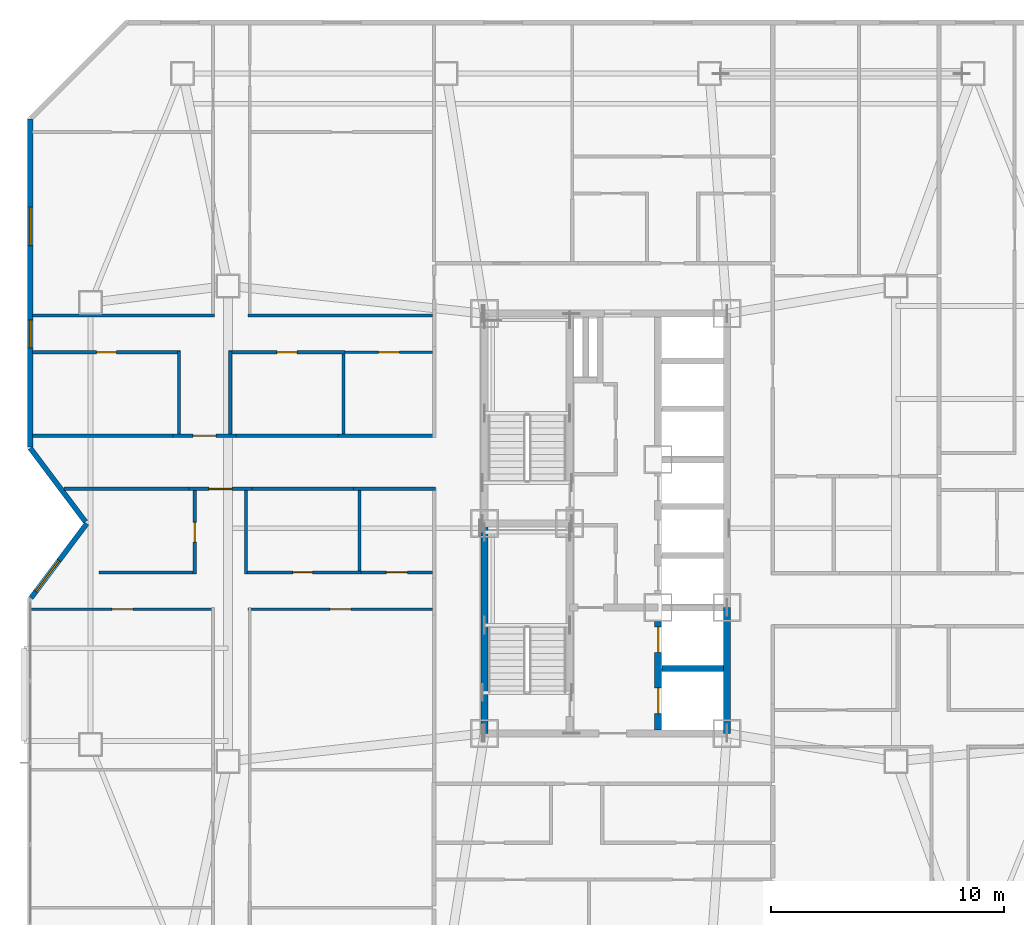
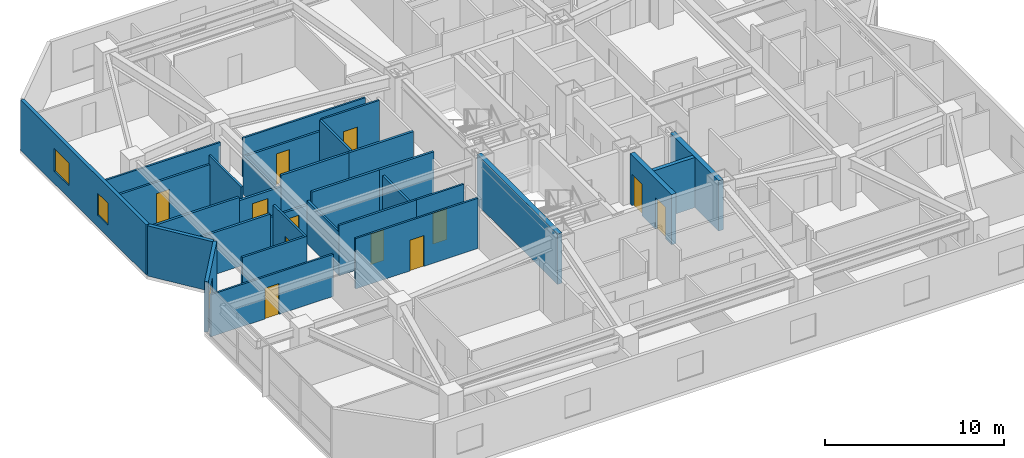
# One storey, part 12 of 17: 31 walls, 12 doors, 3 windows, 15 openings.
"""IFC4 building model written with IfcOpenShell, lengths in metres."""

from ifc_helpers import new_model, si_unit, direction, frame, frame_2d, origin, place, context, subcontext, project, spatial, rectangle, extrude, material, layer, layer_set, type_object, element, fill, save


model = new_model("IFC4")

# Units and contexts
model_context = context("Model", 3, precision=1e-05, world=origin(), true_north=direction((0.0, 1.0)))
body_context = subcontext(model_context, "Body", "Model", "MODEL_VIEW")
ifc_project = project(units=[si_unit("LENGTHUNIT", "METRE"), si_unit("AREAUNIT", "SQUARE_METRE"), si_unit("VOLUMEUNIT", "CUBIC_METRE"), si_unit("PLANEANGLEUNIT", "RADIAN"), si_unit("MASSUNIT", "GRAM", prefix="KILO")], contexts=[model_context])

# Site, building, storey
site_placement = place(None, origin())
site = spatial("IfcSite", under=ifc_project, at=site_placement, CompositionType="ELEMENT")
building_placement = place(site_placement, origin())
building = spatial("IfcBuilding", under=site, at=building_placement, Name="Khamvora Tower", CompositionType="ELEMENT")
storey_placement = place(building_placement, frame((0.0, 0.0, 131.10009765625)))
storey = spatial("IfcBuildingStorey", under=building, at=storey_placement, Name="L33", CompositionType="ELEMENT", Elevation=131.10009765625)

# Walls
ifc_material_1 = material(Name="Concrete C50/60", Category="concrete")
ifc_layer_1 = layer(ifc_material_1, 0.300048828125)
ifc_layer_set_1 = layer_set([ifc_layer_1], Name="Concrete C50/60")
wall_type_1 = type_object("IfcWallType", Name="WAL-CORE-300", PredefinedType="SHEAR", material=ifc_layer_set_1)
wall_1_placement = place(storey_placement, frame((29.0, 19.0, 0.0), z_axis=(0.0, 0.0, 1.0), x_axis=(0.0, 1.0, 0.0)))
element("IfcWall", 1, at=wall_1_placement, inside=storey, type_object=wall_type_1, Name="L33 central core west south wall", PredefinedType="SHEAR", context=body_context, shape_type="SweptSolid", body=[
    extrude(rectangle(XDim=9.0, YDim=0.300048828125, at=frame_2d((4.5, 0.0))), origin(), (0.0, 0.0, 1.0), 3.429931640625),
])
wall_2_placement = place(storey_placement, frame((39.39990234375, 19.0, 0.0), z_axis=(0.0, 0.0, 1.0), x_axis=(0.0, 1.0, 0.0)))
element("IfcWall", 2, at=wall_2_placement, inside=storey, type_object=wall_type_1, Name="L33 central core east south wall", PredefinedType="SHEAR", context=body_context, shape_type="SweptSolid", body=[
    extrude(rectangle(XDim=5.39990234375, YDim=0.300048828125, at=frame_2d((2.699951171875, 0.0))), origin(), (0.0, 0.0, 1.0), 3.429931640625),
])

# Wall, openings, doors
wall_3_placement = place(storey_placement, frame((36.449951171875, 19.154052734375, 0.0), z_axis=(0.0, 0.0, 1.0), x_axis=(0.0, 1.0, 0.0)))
wall_3 = element("IfcWall", 3, at=wall_3_placement, inside=storey, type_object=wall_type_1, Name="L33 central core lift bank south wall", PredefinedType="SHEAR", context=body_context, shape_type="SweptSolid", body=[
    extrude(rectangle(XDim=4.64599609375, YDim=0.300048828125, at=frame_2d((2.322998046875, 0.0))), origin(), (0.0, 0.0, 1.0), 3.429931640625),
])
opening_1_placement = place(wall_3_placement, frame((0.696044921875, 0.0, 0.0)))
opening_1 = element("IfcOpeningElement", 4, at=opening_1_placement, cuts=wall_3, Name="Opening LD-FFL", PredefinedType="OPENING", context=body_context, shape_type="SweptSolid", body=[
    extrude(rectangle(XDim=1.10009765625, YDim=2.14990234375, at=frame_2d((0.550048828125, 1.074951171875))), frame((0.0, 0.159912109375, 0.0), z_axis=(0.0, -1.0, 0.0), x_axis=(1.0, 0.0, 0.0)), (0.0, 0.0, 1.0), 0.320068359375),
])
opening_2_placement = place(wall_3_placement, frame((3.31591796875, 0.0, 0.0)))
opening_2 = element("IfcOpeningElement", 5, at=opening_2_placement, cuts=wall_3, Name="Opening LD-FFL", PredefinedType="OPENING", context=body_context, shape_type="SweptSolid", body=[
    extrude(rectangle(XDim=1.10009765625, YDim=2.14990234375, at=frame_2d((0.550048828125, 1.074951171875))), frame((0.0, 0.159912109375, 0.0), z_axis=(0.0, -1.0, 0.0), x_axis=(1.0, 0.0, 0.0)), (0.0, 0.0, 1.0), 0.320068359375),
])
ifc_material_2 = material(Name="Powder-Coated Steel and Hardwood Leaf", Category="steel")
door_type_1 = type_object("IfcDoorType", Name="DOR-LIFT-1100", OperationType="SLIDING_TO_LEFT", PredefinedType="DOOR", material=ifc_material_2)
door_1_placement = place(opening_1_placement, origin())
door_1 = element("IfcDoor", 6, at=door_1_placement, inside=storey, type_object=door_type_1, Name="L33 lift landing sliding door FFL-01", OperationType="SLIDING_TO_LEFT", OverallHeight=2.14990234375, OverallWidth=1.10009765625, PredefinedType="DOOR", context=body_context, shape_type="SweptSolid", body=[
    extrude(rectangle(XDim=1.10009765625, YDim=2.14990234375, at=frame_2d((0.550048828125, 1.074951171875))), frame((0.0, 0.02490234375, 0.0), z_axis=(0.0, -1.0, 0.0), x_axis=(1.0, 0.0, 0.0)), (0.0, 0.0, 1.0), 0.050048828125),
])
fill(opening_1, door_1)
door_2_placement = place(opening_2_placement, origin())
door_2 = element("IfcDoor", 7, at=door_2_placement, inside=storey, type_object=door_type_1, Name="L33 lift landing sliding door FFL-02", OperationType="SLIDING_TO_LEFT", OverallHeight=2.14990234375, OverallWidth=1.10009765625, PredefinedType="DOOR", context=body_context, shape_type="SweptSolid", body=[
    extrude(rectangle(XDim=1.10009765625, YDim=2.14990234375, at=frame_2d((0.550048828125, 1.074951171875))), frame((0.0, 0.02490234375, 0.0), z_axis=(0.0, -1.0, 0.0), x_axis=(1.0, 0.0, 0.0)), (0.0, 0.0, 1.0), 0.050048828125),
])
fill(opening_2, door_2)

# Wall
ifc_material_3 = material(Name="Fire-Rated Drywall and Steel Stud", Category="steel")
ifc_layer_2 = layer(ifc_material_3, 0.14990234375)
ifc_layer_set_2 = layer_set([ifc_layer_2], Name="Fire-Rated Drywall and Steel Stud")
wall_type_2 = type_object("IfcWallType", Name="WAL-CORR-150", PredefinedType="STANDARD", material=ifc_layer_set_2)
wall_4_placement = place(storey_placement, frame((26.89794921875, 29.485107421875, 0.0), z_axis=(0.0, 0.0, 1.0), x_axis=(-1.0, 0.0, 0.0)))
element("IfcWall", 8, at=wall_4_placement, inside=storey, type_object=wall_type_2, Name="L33 interior partition wall 008", PredefinedType="STANDARD", context=body_context, shape_type="SweptSolid", body=[
    extrude(rectangle(XDim=3.510986328125, YDim=0.14990234375, at=frame_2d((1.75537109375, 0.0))), origin(), (0.0, 0.0, 1.0), 3.429931640625),
])

# Wall, opening, door
wall_5_placement = place(storey_placement, frame((19.02001953125, 29.485107421875, 0.0), z_axis=(0.0, 0.0, 1.0), x_axis=(-1.0, 0.0, 0.0)))
wall_5 = element("IfcWall", 9, at=wall_5_placement, inside=storey, type_object=wall_type_2, Name="L33 interior partition wall 010", PredefinedType="STANDARD", context=body_context, shape_type="SweptSolid", body=[
    extrude(rectangle(XDim=2.697998046875, YDim=0.14990234375, at=frame_2d((1.34912109375, 0.0))), origin(), (0.0, 0.0, 1.0), 2.64697265625),
])
opening_3_placement = place(wall_5_placement, frame((0.84912109375, 0.0, 0.0)))
opening_3 = element("IfcOpeningElement", 10, at=opening_3_placement, cuts=wall_5, Name="Opening D-U1", PredefinedType="OPENING", context=body_context, shape_type="SweptSolid", body=[
    extrude(rectangle(XDim=1.0, YDim=2.14990234375, at=frame_2d((0.5, 1.074951171875))), frame((0.0, 0.0849609375, 0.0), z_axis=(0.0, -1.0, 0.0), x_axis=(1.0, 0.0, 0.0)), (0.0, 0.0, 1.0), 0.169921875),
])
door_type_2 = type_object("IfcDoorType", Name="DOR-UNIT-1000", OperationType="NOTDEFINED", PredefinedType="DOOR", material=ifc_material_2)
door_3_placement = place(opening_3_placement, origin())
door_3 = element("IfcDoor", 11, at=door_3_placement, inside=storey, type_object=door_type_2, Name="L33 interior door COR-33WAH", OperationType="SINGLE_SWING_LEFT", OverallHeight=2.14990234375, OverallWidth=1.0, PredefinedType="DOOR", context=body_context, shape_type="SweptSolid", body=[
    extrude(rectangle(XDim=1.0, YDim=2.14990234375, at=frame_2d((0.5, 1.074951171875))), frame((0.0, 0.02490234375, 0.0), z_axis=(0.0, -1.0, 0.0), x_axis=(1.0, 0.0, 0.0)), (0.0, 0.0, 1.0), 0.050048828125),
])
fill(opening_3, door_3)

# Walls
wall_6_placement = place(storey_placement, frame((16.322021484375, 29.485107421875, 0.0), z_axis=(0.0, 0.0, 1.0), x_axis=(-1.0, 0.0, 0.0)))
element("IfcWall", 12, at=wall_6_placement, inside=storey, type_object=wall_type_2, Name="L33 interior partition wall 011", PredefinedType="STANDARD", context=body_context, shape_type="SweptSolid", body=[
    extrude(rectangle(XDim=5.3701171875, YDim=0.14990234375, at=frame_2d((2.68505859375, 0.0))), origin(), (0.0, 0.0, 1.0), 2.8759765625),
])
wall_7_placement = place(storey_placement, frame((23.386962890625, 29.485107421875, 0.0), z_axis=(0.0, 0.0, 1.0), x_axis=(-1.0, 0.0, 0.0)))
element("IfcWall", 13, at=wall_7_placement, inside=storey, type_object=wall_type_2, Name="L33 interior partition wall 012", PredefinedType="STANDARD", context=body_context, shape_type="SweptSolid", body=[
    extrude(rectangle(XDim=4.366943359375, YDim=0.14990234375, at=frame_2d((2.18359375, 0.0))), origin(), (0.0, 0.0, 1.0), 3.429931640625),
])
wall_8_placement = place(storey_placement, frame((22.7060546875, 31.764892578125, 0.0), z_axis=(0.0, 0.0, 1.0), x_axis=(1.0, 0.0, 0.0)))
element("IfcWall", 14, at=wall_8_placement, inside=storey, type_object=wall_type_2, Name="L33 interior partition wall 016", PredefinedType="STANDARD", context=body_context, shape_type="SweptSolid", body=[
    extrude(rectangle(XDim=4.19189453125, YDim=0.14990234375, at=frame_2d((2.095947265625, 0.0))), origin(), (0.0, 0.0, 1.0), 3.429931640625),
])

# Wall, opening, door
wall_9_placement = place(storey_placement, frame((15.64111328125, 31.764892578125, 0.0), z_axis=(0.0, 0.0, 1.0), x_axis=(1.0, 0.0, 0.0)))
wall_9 = element("IfcWall", 15, at=wall_9_placement, inside=storey, type_object=wall_type_2, Name="L33 interior partition wall 018", PredefinedType="STANDARD", context=body_context, shape_type="SweptSolid", body=[
    extrude(rectangle(XDim=2.697998046875, YDim=0.14990234375, at=frame_2d((1.34912109375, 0.0))), origin(), (0.0, 0.0, 1.0), 2.64697265625),
])
opening_4_placement = place(wall_9_placement, frame((0.84912109375, 0.0, 0.0)))
opening_4 = element("IfcOpeningElement", 16, at=opening_4_placement, cuts=wall_9, Name="Opening D-U1", PredefinedType="OPENING", context=body_context, shape_type="SweptSolid", body=[
    extrude(rectangle(XDim=1.0, YDim=2.14990234375, at=frame_2d((0.5, 1.074951171875))), frame((0.0, 0.0849609375, 0.0), z_axis=(0.0, -1.0, 0.0), x_axis=(1.0, 0.0, 0.0)), (0.0, 0.0, 1.0), 0.169921875),
])
door_4_placement = place(opening_4_placement, origin())
door_4 = element("IfcDoor", 17, at=door_4_placement, inside=storey, type_object=door_type_2, Name="L33 interior door COR-33WBH", OperationType="SINGLE_SWING_RIGHT", OverallHeight=2.14990234375, OverallWidth=1.0, PredefinedType="DOOR", context=body_context, shape_type="SweptSolid", body=[
    extrude(rectangle(XDim=1.0, YDim=2.14990234375, at=frame_2d((0.5, 1.074951171875))), frame((0.0, 0.02490234375, 0.0), z_axis=(0.0, -1.0, 0.0), x_axis=(1.0, 0.0, 0.0)), (0.0, 0.0, 1.0), 0.050048828125),
])
fill(opening_4, door_4)

# Walls
wall_10_placement = place(storey_placement, frame((18.339111328125, 31.764892578125, 0.0), z_axis=(0.0, 0.0, 1.0), x_axis=(1.0, 0.0, 0.0)))
element("IfcWall", 18, at=wall_10_placement, inside=storey, type_object=wall_type_2, Name="L33 interior partition wall 019", PredefinedType="STANDARD", context=body_context, shape_type="SweptSolid", body=[
    extrude(rectangle(XDim=4.366943359375, YDim=0.14990234375, at=frame_2d((2.18359375, 0.0))), origin(), (0.0, 0.0, 1.0), 3.429931640625),
])
wall_11_placement = place(storey_placement, frame((9.612060546875, 31.764892578125, 0.0), z_axis=(0.0, 0.0, 1.0), x_axis=(1.0, 0.0, 0.0)))
element("IfcWall", 19, at=wall_11_placement, inside=storey, type_object=wall_type_2, Name="L33 interior partition wall 020", PredefinedType="STANDARD", context=body_context, shape_type="SweptSolid", body=[
    extrude(rectangle(XDim=6.029052734375, YDim=0.14990234375, at=frame_2d((3.0146484375, 0.0))), origin(), (0.0, 0.0, 1.0), 2.8759765625),
])

# Wall, opening, window
ifc_material_4 = material(Name="Precast concrete C40/50", Category="concrete")
ifc_layer_3 = layer(ifc_material_4, 0.219970703125)
ifc_layer_set_3 = layer_set([ifc_layer_3], Name="Precast concrete C40/50")
wall_type_3 = type_object("IfcWallType", Name="WAL-EXT-220", PredefinedType="STANDARD", material=ifc_layer_set_3)
wall_12_placement = place(storey_placement, frame((9.5439453125, 24.80810546875, 0.0), z_axis=(0.0, 0.0, 1.0), x_axis=(0.600019580308, 0.799985314394, 0.0)))
wall_12 = element("IfcWall", 20, at=wall_12_placement, inside=storey, type_object=wall_type_3, Name="L33 exterior facade wall 03.1", PredefinedType="STANDARD", context=body_context, shape_type="SweptSolid", body=[
    extrude(rectangle(XDim=3.989990234375, YDim=0.219970703125, at=frame_2d((1.9951171875, 0.0))), origin(), (0.0, 0.0, 1.0), 3.429931640625),
])
opening_5_placement = place(wall_12_placement, frame((0.35107421875, 0.0, 0.85009765625)))
opening_5 = element("IfcOpeningElement", 21, at=opening_5_placement, cuts=wall_12, Name="Opening WN-06", PredefinedType="OPENING", context=body_context, shape_type="SweptSolid", body=[
    extrude(rectangle(XDim=1.64990234375, YDim=1.550048828125, at=frame_2d((0.824951171875, 0.77490234375))), frame((0.0, 0.119873046875, 0.0), z_axis=(0.0, -1.0, 0.0), x_axis=(1.0, 0.0, 0.0)), (0.0, 0.0, 1.0), 0.239990234375),
])
ifc_material_5 = material(Name="Low-E Laminated Double Glazing", Category="glass")
window_type_1 = type_object("IfcWindowType", Name="WIN-VIS-1650x1550", PartitioningType="SINGLE_PANEL", PredefinedType="WINDOW", material=ifc_material_5)
window_1_placement = place(opening_5_placement, origin())
window_1 = element("IfcWindow", 22, at=window_1_placement, inside=storey, type_object=window_type_1, Name="L33 vision window 03.1.01", OverallHeight=1.550048828125, OverallWidth=1.64990234375, PartitioningType="SINGLE_PANEL", PredefinedType="WINDOW", context=body_context, shape_type="SweptSolid", body=[
    extrude(rectangle(XDim=1.64990234375, YDim=1.550048828125, at=frame_2d((0.824951171875, 0.77490234375))), frame((0.0, 0.030029296875, 0.0), z_axis=(0.0, -1.0, 0.0), x_axis=(1.0, 0.0, 0.0)), (0.0, 0.0, 1.0), 0.06005859375),
])
fill(opening_5, window_1)

# Wall
wall_13_placement = place(storey_placement, frame((11.881103515625, 28.076904296875, 0.0), z_axis=(0.0, 0.0, 1.0), x_axis=(-0.600158184825, 0.799881336942, 0.0)))
element("IfcWall", 23, at=wall_13_placement, inside=storey, type_object=wall_type_3, Name="L33 exterior facade wall 04.1", PredefinedType="STANDARD", context=body_context, shape_type="SweptSolid", body=[
    extrude(rectangle(XDim=3.95068359375, YDim=0.219970703125, at=frame_2d((1.975341796875, 0.0))), origin(), (0.0, 0.0, 1.0), 3.429931640625),
])

# Wall, openings, windows
wall_14_placement = place(storey_placement, frame((9.510009765625, 31.29296875, 0.0), z_axis=(0.0, 0.0, 1.0), x_axis=(0.0, 1.0, 0.0)))
wall_14 = element("IfcWall", 24, at=wall_14_placement, inside=storey, type_object=wall_type_3, Name="L33 exterior facade wall 05.1", PredefinedType="STANDARD", context=body_context, shape_type="SweptSolid", body=[
    extrude(rectangle(XDim=14.06103515625, YDim=0.219970703125, at=frame_2d((7.030517578125, 0.0))), origin(), (0.0, 0.0, 1.0), 3.429931640625),
])
opening_6_placement = place(wall_14_placement, frame((4.241943359375, 0.0, 0.800048828125)))
opening_6 = element("IfcOpeningElement", 25, at=opening_6_placement, cuts=wall_14, Name="Opening WN-03", PredefinedType="OPENING", context=body_context, shape_type="SweptSolid", body=[
    extrude(rectangle(XDim=1.199951171875, YDim=1.5, at=frame_2d((0.60009765625, 0.75))), frame((0.0, 0.119873046875, 0.0), z_axis=(0.0, -1.0, 0.0), x_axis=(1.0, 0.0, 0.0)), (0.0, 0.0, 1.0), 0.239990234375),
])
opening_7_placement = place(wall_14_placement, frame((8.62890625, 0.0, 0.85009765625)))
opening_7 = element("IfcOpeningElement", 26, at=opening_7_placement, cuts=wall_14, Name="Opening WN-06", PredefinedType="OPENING", context=body_context, shape_type="SweptSolid", body=[
    extrude(rectangle(XDim=1.64990234375, YDim=1.550048828125, at=frame_2d((0.824951171875, 0.77490234375))), frame((0.0, 0.119873046875, 0.0), z_axis=(0.0, -1.0, 0.0), x_axis=(1.0, 0.0, 0.0)), (0.0, 0.0, 1.0), 0.239990234375),
])
window_type_2 = type_object("IfcWindowType", Name="WIN-VIS-1200x1500", PartitioningType="SINGLE_PANEL", PredefinedType="WINDOW", material=ifc_material_5)
window_2_placement = place(opening_6_placement, origin())
window_2 = element("IfcWindow", 27, at=window_2_placement, inside=storey, type_object=window_type_2, Name="L33 vision window 05.1.01", OverallHeight=1.5, OverallWidth=1.199951171875, PartitioningType="SINGLE_PANEL", PredefinedType="WINDOW", context=body_context, shape_type="SweptSolid", body=[
    extrude(rectangle(XDim=1.199951171875, YDim=1.5, at=frame_2d((0.60009765625, 0.75))), frame((0.0, 0.030029296875, 0.0), z_axis=(0.0, -1.0, 0.0), x_axis=(1.0, 0.0, 0.0)), (0.0, 0.0, 1.0), 0.06005859375),
])
fill(opening_6, window_2)
window_3_placement = place(opening_7_placement, origin())
window_3 = element("IfcWindow", 28, at=window_3_placement, inside=storey, type_object=window_type_1, Name="L33 vision window 05.1.02", OverallHeight=1.550048828125, OverallWidth=1.64990234375, PartitioningType="SINGLE_PANEL", PredefinedType="WINDOW", context=body_context, shape_type="SweptSolid", body=[
    extrude(rectangle(XDim=1.64990234375, YDim=1.550048828125, at=frame_2d((0.824951171875, 0.77490234375))), frame((0.0, 0.030029296875, 0.0), z_axis=(0.0, -1.0, 0.0), x_axis=(1.0, 0.0, 0.0)), (0.0, 0.0, 1.0), 0.06005859375),
])
fill(opening_7, window_3)

# Wall, opening, door
ifc_material_6 = material(Name="Gypsum Plasterboard Partition", Category="gypsum")
ifc_layer_4 = layer(ifc_material_6, 0.1201171875)
ifc_layer_set_4 = layer_set([ifc_layer_4], Name="Gypsum Plasterboard Partition")
wall_type_4 = type_object("IfcWallType", Name="WAL-PART-120", PredefinedType="PARTITIONING", material=ifc_layer_set_4)
wall_15_placement = place(storey_placement, frame((26.77001953125, 25.905029296875, 0.0), z_axis=(0.0, 0.0, 1.0), x_axis=(-1.0, 0.0, 0.0)))
wall_15 = element("IfcWall", 29, at=wall_15_placement, inside=storey, type_object=wall_type_4, Name="L33 interior partition wall 046", PredefinedType="PARTITIONING", context=body_context, shape_type="SweptSolid", body=[
    extrude(rectangle(XDim=3.069091796875, YDim=0.1201171875, at=frame_2d((1.53466796875, 0.0))), origin(), (0.0, 0.0, 1.0), 3.429931640625),
])
opening_8_placement = place(wall_15_placement, frame((1.0849609375, 0.0, 0.0)))
opening_8 = element("IfcOpeningElement", 30, at=opening_8_placement, cuts=wall_15, Name="Opening D-RM1", PredefinedType="OPENING", context=body_context, shape_type="SweptSolid", body=[
    extrude(rectangle(XDim=0.89990234375, YDim=2.10009765625, at=frame_2d((0.449951171875, 1.050048828125))), frame((0.0, 0.070068359375, 0.0), z_axis=(0.0, -1.0, 0.0), x_axis=(1.0, 0.0, 0.0)), (0.0, 0.0, 1.0), 0.14013671875),
])
door_type_3 = type_object("IfcDoorType", Name="DOR-ROOM-900", OperationType="NOTDEFINED", PredefinedType="DOOR", material=ifc_material_2)
door_5_placement = place(opening_8_placement, origin())
door_5 = element("IfcDoor", 31, at=door_5_placement, inside=storey, type_object=door_type_3, Name="L33 interior door 33WAW2-33WAH", OperationType="SINGLE_SWING_LEFT", OverallHeight=2.10009765625, OverallWidth=0.89990234375, PredefinedType="DOOR", context=body_context, shape_type="SweptSolid", body=[
    extrude(rectangle(XDim=0.89990234375, YDim=2.10009765625, at=frame_2d((0.449951171875, 1.050048828125))), frame((0.0, 0.02490234375, 0.0), z_axis=(0.0, -1.0, 0.0), x_axis=(1.0, 0.0, 0.0)), (0.0, 0.0, 1.0), 0.050048828125),
])
fill(opening_8, door_5)

wall_16_placement = place(storey_placement, frame((17.419921875, 24.324951171875, 0.0), z_axis=(0.0, 0.0, 1.0), x_axis=(-1.0, 0.0, 0.0)))
wall_16 = element("IfcWall", 32, at=wall_16_placement, inside=storey, type_object=wall_type_4, Name="L33 interior partition wall 055", PredefinedType="PARTITIONING", context=body_context, shape_type="SweptSolid", body=[
    extrude(rectangle(XDim=7.909912109375, YDim=0.1201171875, at=frame_2d((3.955078125, 0.0))), origin(), (0.0, 0.0, 1.0), 2.8759765625),
])
opening_9_placement = place(wall_16_placement, frame((3.5048828125, 0.0, 0.0)))
opening_9 = element("IfcOpeningElement", 33, at=opening_9_placement, cuts=wall_16, Name="Opening D-RM1", PredefinedType="OPENING", context=body_context, shape_type="SweptSolid", body=[
    extrude(rectangle(XDim=0.89990234375, YDim=2.10009765625, at=frame_2d((0.449951171875, 1.050048828125))), frame((0.0, 0.070068359375, 0.0), z_axis=(0.0, -1.0, 0.0), x_axis=(1.0, 0.0, 0.0)), (0.0, 0.0, 1.0), 0.14013671875),
])
door_6_placement = place(opening_9_placement, origin())
door_6 = element("IfcDoor", 34, at=door_6_placement, inside=storey, type_object=door_type_3, Name="L33 interior door 33WAH-33WAR3", OperationType="SINGLE_SWING_RIGHT", OverallHeight=2.10009765625, OverallWidth=0.89990234375, PredefinedType="DOOR", context=body_context, shape_type="SweptSolid", body=[
    extrude(rectangle(XDim=0.89990234375, YDim=2.10009765625, at=frame_2d((0.449951171875, 1.050048828125))), frame((0.0, 0.02490234375, 0.0), z_axis=(0.0, -1.0, 0.0), x_axis=(1.0, 0.0, 0.0)), (0.0, 0.0, 1.0), 0.050048828125),
])
fill(opening_9, door_6)

wall_17_placement = place(storey_placement, frame((26.77001953125, 24.324951171875, 0.0), z_axis=(0.0, 0.0, 1.0), x_axis=(-1.0, 0.0, 0.0)))
wall_17 = element("IfcWall", 35, at=wall_17_placement, inside=storey, type_object=wall_type_4, Name="L33 interior partition wall 058", PredefinedType="PARTITIONING", context=body_context, shape_type="SweptSolid", body=[
    extrude(rectangle(XDim=7.909912109375, YDim=0.1201171875, at=frame_2d((3.955078125, 0.0))), origin(), (0.0, 0.0, 1.0), 3.429931640625),
])
opening_10_placement = place(wall_17_placement, frame((3.5048828125, 0.0, 0.0)))
opening_10 = element("IfcOpeningElement", 36, at=opening_10_placement, cuts=wall_17, Name="Opening D-RM1", PredefinedType="OPENING", context=body_context, shape_type="SweptSolid", body=[
    extrude(rectangle(XDim=0.89990234375, YDim=2.10009765625, at=frame_2d((0.449951171875, 1.050048828125))), frame((0.0, 0.070068359375, 0.0), z_axis=(0.0, -1.0, 0.0), x_axis=(1.0, 0.0, 0.0)), (0.0, 0.0, 1.0), 0.14013671875),
])
door_7_placement = place(opening_10_placement, origin())
door_7 = element("IfcDoor", 37, at=door_7_placement, inside=storey, type_object=door_type_3, Name="L33 interior door 33WAH-33WAR6", OperationType="SINGLE_SWING_LEFT", OverallHeight=2.10009765625, OverallWidth=0.89990234375, PredefinedType="DOOR", context=body_context, shape_type="SweptSolid", body=[
    extrude(rectangle(XDim=0.89990234375, YDim=2.10009765625, at=frame_2d((0.449951171875, 1.050048828125))), frame((0.0, 0.02490234375, 0.0), z_axis=(0.0, -1.0, 0.0), x_axis=(1.0, 0.0, 0.0)), (0.0, 0.0, 1.0), 0.050048828125),
])
fill(opening_10, door_7)

wall_18_placement = place(storey_placement, frame((23.02001953125, 35.344970703125, 0.0), z_axis=(0.0, 0.0, 1.0), x_axis=(1.0, 0.0, 0.0)))
wall_18 = element("IfcWall", 38, at=wall_18_placement, inside=storey, type_object=wall_type_4, Name="L33 interior partition wall 068", PredefinedType="PARTITIONING", context=body_context, shape_type="SweptSolid", body=[
    extrude(rectangle(XDim=3.75, YDim=0.1201171875, at=frame_2d((1.875, 0.0))), origin(), (0.0, 0.0, 1.0), 3.429931640625),
])
opening_11_placement = place(wall_18_placement, frame((1.425048828125, 0.0, 0.0)))
opening_11 = element("IfcOpeningElement", 39, at=opening_11_placement, cuts=wall_18, Name="Opening D-RM1", PredefinedType="OPENING", context=body_context, shape_type="SweptSolid", body=[
    extrude(rectangle(XDim=0.89990234375, YDim=2.10009765625, at=frame_2d((0.449951171875, 1.050048828125))), frame((0.0, 0.070068359375, 0.0), z_axis=(0.0, -1.0, 0.0), x_axis=(1.0, 0.0, 0.0)), (0.0, 0.0, 1.0), 0.14013671875),
])
door_8_placement = place(opening_11_placement, origin())
door_8 = element("IfcDoor", 40, at=door_8_placement, inside=storey, type_object=door_type_3, Name="L33 interior door 33WBW2-33WBH", OperationType="SINGLE_SWING_RIGHT", OverallHeight=2.10009765625, OverallWidth=0.89990234375, PredefinedType="DOOR", context=body_context, shape_type="SweptSolid", body=[
    extrude(rectangle(XDim=0.89990234375, YDim=2.10009765625, at=frame_2d((0.449951171875, 1.050048828125))), frame((0.0, 0.02490234375, 0.0), z_axis=(0.0, -1.0, 0.0), x_axis=(1.0, 0.0, 0.0)), (0.0, 0.0, 1.0), 0.050048828125),
])
fill(opening_11, door_8)

# Walls
wall_19_placement = place(storey_placement, frame((9.612060546875, 36.925048828125, 0.0), z_axis=(0.0, 0.0, 1.0), x_axis=(1.0, 0.0, 0.0)))
element("IfcWall", 41, at=wall_19_placement, inside=storey, type_object=wall_type_4, Name="L33 interior partition wall 074", PredefinedType="PARTITIONING", context=body_context, shape_type="SweptSolid", body=[
    extrude(rectangle(XDim=7.807861328125, YDim=0.1201171875, at=frame_2d((3.90380859375, 0.0))), origin(), (0.0, 0.0, 1.0), 2.8759765625),
])
wall_20_placement = place(storey_placement, frame((18.860107421875, 36.925048828125, 0.0), z_axis=(0.0, 0.0, 1.0), x_axis=(1.0, 0.0, 0.0)))
element("IfcWall", 42, at=wall_20_placement, inside=storey, type_object=wall_type_4, Name="L33 interior partition wall 078", PredefinedType="PARTITIONING", context=body_context, shape_type="SweptSolid", body=[
    extrude(rectangle(XDim=7.909912109375, YDim=0.1201171875, at=frame_2d((3.955078125, 0.0))), origin(), (0.0, 0.0, 1.0), 2.64697265625),
])
ifc_material_7 = material(Name="Concrete C40/50", Category="concrete")
ifc_layer_5 = layer(ifc_material_7, 0.25)
ifc_layer_set_5 = layer_set([ifc_layer_5], Name="Concrete C40/50")
wall_type_5 = type_object("IfcWallType", Name="WAL-PODS-250", PredefinedType="SHEAR", material=ifc_layer_set_5)
wall_21_placement = place(storey_placement, frame((36.60400390625, 21.77490234375, 0.0), z_axis=(0.0, 0.0, 1.0), x_axis=(1.0, 0.0, 0.0)))
element("IfcWall", 43, at=wall_21_placement, inside=storey, type_object=wall_type_5, Name="L33 lift shaft divider wall FFL-01", PredefinedType="SHEAR", context=body_context, shape_type="SweptSolid", body=[
    extrude(rectangle(XDim=2.64208984375, YDim=0.25, at=frame_2d((1.321044921875, 0.0))), origin(), (0.0, 0.0, 1.0), 3.429931640625),
])
ifc_material_8 = material(Name="Moisture-Resistant Plasterboard Partition", Category="gypsum")
ifc_layer_6 = layer(ifc_material_8, 0.135009765625)
ifc_layer_set_6 = layer_set([ifc_layer_6], Name="Moisture-Resistant Plasterboard Partition")
wall_type_6 = type_object("IfcWallType", Name="WAL-WET-135", PredefinedType="PARTITIONING", material=ifc_layer_set_6)
wall_22_placement = place(storey_placement, frame((23.635986328125, 25.969970703125, 0.0), z_axis=(0.0, 0.0, 1.0), x_axis=(0.0, 1.0, 0.0)))
element("IfcWall", 44, at=wall_22_placement, inside=storey, type_object=wall_type_6, Name="L33 interior partition wall 047", PredefinedType="PARTITIONING", context=body_context, shape_type="SweptSolid", body=[
    extrude(rectangle(XDim=3.447998046875, YDim=0.135009765625, at=frame_2d((1.72412109375, 0.0))), origin(), (0.0, 0.0, 1.0), 2.956787109375),
])
wall_23_placement = place(storey_placement, frame((12.45703125, 25.905029296875, 0.0), z_axis=(0.0, 0.0, 1.0), x_axis=(1.0, 0.0, 0.0)))
element("IfcWall", 45, at=wall_23_placement, inside=storey, type_object=wall_type_6, Name="L33 interior partition wall 048", PredefinedType="PARTITIONING", context=body_context, shape_type="SweptSolid", body=[
    extrude(rectangle(XDim=4.178955078125, YDim=0.135009765625, at=frame_2d((2.08935546875, 0.0))), origin(), (0.0, 0.0, 1.0), 3.429931640625),
])

# Wall, opening, door
wall_24_placement = place(storey_placement, frame((16.571044921875, 25.840087890625, 0.0), z_axis=(0.0, 0.0, 1.0), x_axis=(0.0, 1.0, 0.0)))
wall_24 = element("IfcWall", 46, at=wall_24_placement, inside=storey, type_object=wall_type_6, Name="L33 interior partition wall 049", PredefinedType="PARTITIONING", context=body_context, shape_type="SweptSolid", body=[
    extrude(rectangle(XDim=3.577880859375, YDim=0.135009765625, at=frame_2d((1.7890625, 0.0))), origin(), (0.0, 0.0, 1.0), 3.429931640625),
])
opening_12_placement = place(wall_24_placement, frame((1.364013671875, 0.0, 0.0)))
opening_12 = element("IfcOpeningElement", 47, at=opening_12_placement, cuts=wall_24, Name="Opening D-WC1", PredefinedType="OPENING", context=body_context, shape_type="SweptSolid", body=[
    extrude(rectangle(XDim=0.85009765625, YDim=2.10009765625, at=frame_2d((0.425048828125, 1.050048828125))), frame((0.0, 0.077392578125, 0.0), z_axis=(0.0, -1.0, 0.0), x_axis=(1.0, 0.0, 0.0)), (0.0, 0.0, 1.0), 0.155029296875),
])
door_type_4 = type_object("IfcDoorType", Name="DOR-WET-850", OperationType="NOTDEFINED", PredefinedType="DOOR", material=ifc_material_2)
door_9_placement = place(opening_12_placement, origin())
door_9 = element("IfcDoor", 48, at=door_9_placement, inside=storey, type_object=door_type_4, Name="L33 interior door 33WAH-33WAB", OperationType="SINGLE_SWING_RIGHT", OverallHeight=2.10009765625, OverallWidth=0.85009765625, PredefinedType="DOOR", context=body_context, shape_type="SweptSolid", body=[
    extrude(rectangle(XDim=0.85009765625, YDim=2.10009765625, at=frame_2d((0.425048828125, 1.050048828125))), frame((0.0, 0.02490234375, 0.0), z_axis=(0.0, -1.0, 0.0), x_axis=(1.0, 0.0, 0.0)), (0.0, 0.0, 1.0), 0.050048828125),
])
fill(opening_12, door_9)

# Wall
wall_25_placement = place(storey_placement, frame((18.77099609375, 29.41796875, 0.0), z_axis=(0.0, 0.0, 1.0), x_axis=(0.0, -1.0, 0.0)))
element("IfcWall", 49, at=wall_25_placement, inside=storey, type_object=wall_type_6, Name="L33 interior partition wall 050", PredefinedType="PARTITIONING", context=body_context, shape_type="SweptSolid", body=[
    extrude(rectangle(XDim=3.577880859375, YDim=0.135009765625, at=frame_2d((1.7890625, 0.0))), origin(), (0.0, 0.0, 1.0), 2.956787109375),
])

# Wall, opening, door
wall_26_placement = place(storey_placement, frame((18.7060546875, 25.905029296875, 0.0), z_axis=(0.0, 0.0, 1.0), x_axis=(1.0, 0.0, 0.0)))
wall_26 = element("IfcWall", 50, at=wall_26_placement, inside=storey, type_object=wall_type_6, Name="L33 interior partition wall 051", PredefinedType="PARTITIONING", context=body_context, shape_type="SweptSolid", body=[
    extrude(rectangle(XDim=4.994873046875, YDim=0.135009765625, at=frame_2d((2.49755859375, 0.0))), origin(), (0.0, 0.0, 1.0), 3.429931640625),
])
opening_13_placement = place(wall_26_placement, frame((2.072998046875, 0.0, 0.0)))
opening_13 = element("IfcOpeningElement", 51, at=opening_13_placement, cuts=wall_26, Name="Opening D-RM2", PredefinedType="OPENING", context=body_context, shape_type="SweptSolid", body=[
    extrude(rectangle(XDim=0.85009765625, YDim=2.10009765625, at=frame_2d((0.425048828125, 1.050048828125))), frame((0.0, 0.077392578125, 0.0), z_axis=(0.0, -1.0, 0.0), x_axis=(1.0, 0.0, 0.0)), (0.0, 0.0, 1.0), 0.155029296875),
])
door_type_5 = type_object("IfcDoorType", Name="DOR-ROOM-850", OperationType="NOTDEFINED", PredefinedType="DOOR", material=ifc_material_2)
door_10_placement = place(opening_13_placement, origin())
door_10 = element("IfcDoor", 52, at=door_10_placement, inside=storey, type_object=door_type_5, Name="L33 interior door 33WAH-33WAK", OperationType="SINGLE_SWING_LEFT", OverallHeight=2.10009765625, OverallWidth=0.85009765625, PredefinedType="DOOR", context=body_context, shape_type="SweptSolid", body=[
    extrude(rectangle(XDim=0.85009765625, YDim=2.10009765625, at=frame_2d((0.425048828125, 1.050048828125))), frame((0.0, 0.02490234375, 0.0), z_axis=(0.0, -1.0, 0.0), x_axis=(1.0, 0.0, 0.0)), (0.0, 0.0, 1.0), 0.050048828125),
])
fill(opening_13, door_10)

# Wall
wall_27_placement = place(storey_placement, frame((22.955078125, 31.83203125, 0.0), z_axis=(0.0, 0.0, 1.0), x_axis=(0.0, 1.0, 0.0)))
element("IfcWall", 53, at=wall_27_placement, inside=storey, type_object=wall_type_6, Name="L33 interior partition wall 069", PredefinedType="PARTITIONING", context=body_context, shape_type="SweptSolid", body=[
    extrude(rectangle(XDim=3.447998046875, YDim=0.135009765625, at=frame_2d((1.72412109375, 0.0))), origin(), (0.0, 0.0, 1.0), 3.429931640625),
])

# Wall, opening, door
wall_28_placement = place(storey_placement, frame((23.02001953125, 35.344970703125, 0.0), z_axis=(0.0, 0.0, 1.0), x_axis=(-1.0, 0.0, 0.0)))
wall_28 = element("IfcWall", 54, at=wall_28_placement, inside=storey, type_object=wall_type_6, Name="L33 interior partition wall 070", PredefinedType="PARTITIONING", context=body_context, shape_type="SweptSolid", body=[
    extrude(rectangle(XDim=4.9951171875, YDim=0.135009765625, at=frame_2d((2.49755859375, 0.0))), origin(), (0.0, 0.0, 1.0), 2.64697265625),
])
opening_14_placement = place(wall_28_placement, frame((2.072998046875, 0.0, 0.0)))
opening_14 = element("IfcOpeningElement", 55, at=opening_14_placement, cuts=wall_28, Name="Opening D-WC1", PredefinedType="OPENING", context=body_context, shape_type="SweptSolid", body=[
    extrude(rectangle(XDim=0.85009765625, YDim=2.10009765625, at=frame_2d((0.425048828125, 1.050048828125))), frame((0.0, 0.077392578125, 0.0), z_axis=(0.0, -1.0, 0.0), x_axis=(1.0, 0.0, 0.0)), (0.0, 0.0, 1.0), 0.155029296875),
])
door_11_placement = place(opening_14_placement, origin())
door_11 = element("IfcDoor", 56, at=door_11_placement, inside=storey, type_object=door_type_4, Name="L33 interior door 33WBH-33WBB", OperationType="SINGLE_SWING_LEFT", OverallHeight=2.10009765625, OverallWidth=0.85009765625, PredefinedType="DOOR", context=body_context, shape_type="SweptSolid", body=[
    extrude(rectangle(XDim=0.85009765625, YDim=2.10009765625, at=frame_2d((0.425048828125, 1.050048828125))), frame((0.0, 0.02490234375, 0.0), z_axis=(0.0, -1.0, 0.0), x_axis=(1.0, 0.0, 0.0)), (0.0, 0.0, 1.0), 0.050048828125),
])
fill(opening_14, door_11)

# Walls
wall_29_placement = place(storey_placement, frame((18.090087890625, 35.409912109375, 0.0), z_axis=(0.0, 0.0, 1.0), x_axis=(0.0, -1.0, 0.0)))
element("IfcWall", 57, at=wall_29_placement, inside=storey, type_object=wall_type_6, Name="L33 interior partition wall 071", PredefinedType="PARTITIONING", context=body_context, shape_type="SweptSolid", body=[
    extrude(rectangle(XDim=3.577880859375, YDim=0.135009765625, at=frame_2d((1.7890625, 0.0))), origin(), (0.0, 0.0, 1.0), 2.64697265625),
])
wall_30_placement = place(storey_placement, frame((15.889892578125, 31.83203125, 0.0), z_axis=(0.0, 0.0, 1.0), x_axis=(0.0, 1.0, 0.0)))
element("IfcWall", 58, at=wall_30_placement, inside=storey, type_object=wall_type_6, Name="L33 interior partition wall 072", PredefinedType="PARTITIONING", context=body_context, shape_type="SweptSolid", body=[
    extrude(rectangle(XDim=3.577880859375, YDim=0.135009765625, at=frame_2d((1.7890625, 0.0))), origin(), (0.0, 0.0, 1.0), 3.429931640625),
])

# Wall, opening, door
wall_31_placement = place(storey_placement, frame((15.955078125, 35.344970703125, 0.0), z_axis=(0.0, 0.0, 1.0), x_axis=(-1.0, 0.0, 0.0)))
wall_31 = element("IfcWall", 59, at=wall_31_placement, inside=storey, type_object=wall_type_6, Name="L33 interior partition wall 073", PredefinedType="PARTITIONING", context=body_context, shape_type="SweptSolid", body=[
    extrude(rectangle(XDim=6.343017578125, YDim=0.135009765625, at=frame_2d((3.17138671875, 0.0))), origin(), (0.0, 0.0, 1.0), 2.8759765625),
])
opening_15_placement = place(wall_31_placement, frame((2.7470703125, 0.0, 0.0)))
opening_15 = element("IfcOpeningElement", 60, at=opening_15_placement, cuts=wall_31, Name="Opening D-RM2", PredefinedType="OPENING", context=body_context, shape_type="SweptSolid", body=[
    extrude(rectangle(XDim=0.85009765625, YDim=2.10009765625, at=frame_2d((0.425048828125, 1.050048828125))), frame((0.0, 0.077392578125, 0.0), z_axis=(0.0, -1.0, 0.0), x_axis=(1.0, 0.0, 0.0)), (0.0, 0.0, 1.0), 0.155029296875),
])
door_12_placement = place(opening_15_placement, origin())
door_12 = element("IfcDoor", 61, at=door_12_placement, inside=storey, type_object=door_type_5, Name="L33 interior door 33WBH-33WBK", OperationType="SINGLE_SWING_RIGHT", OverallHeight=2.10009765625, OverallWidth=0.85009765625, PredefinedType="DOOR", context=body_context, shape_type="SweptSolid", body=[
    extrude(rectangle(XDim=0.85009765625, YDim=2.10009765625, at=frame_2d((0.425048828125, 1.050048828125))), frame((0.0, 0.02490234375, 0.0), z_axis=(0.0, -1.0, 0.0), x_axis=(1.0, 0.0, 0.0)), (0.0, 0.0, 1.0), 0.050048828125),
])
fill(opening_15, door_12)

save(model, "model.ifc")
